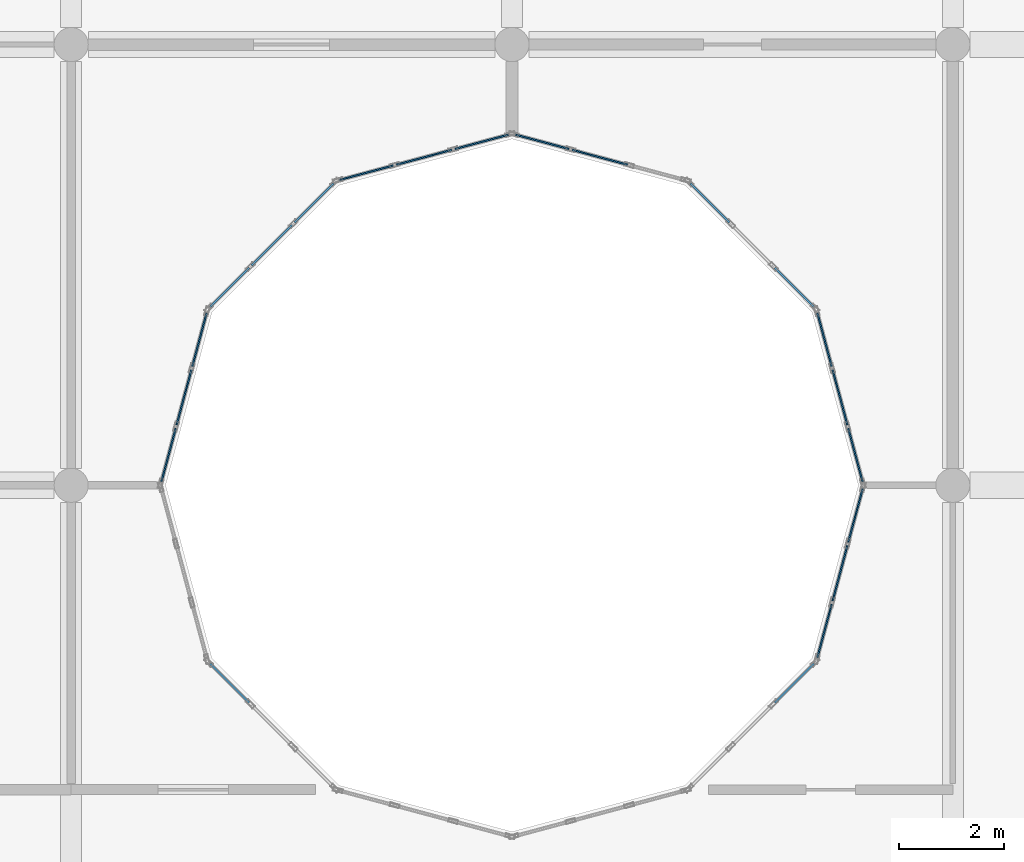
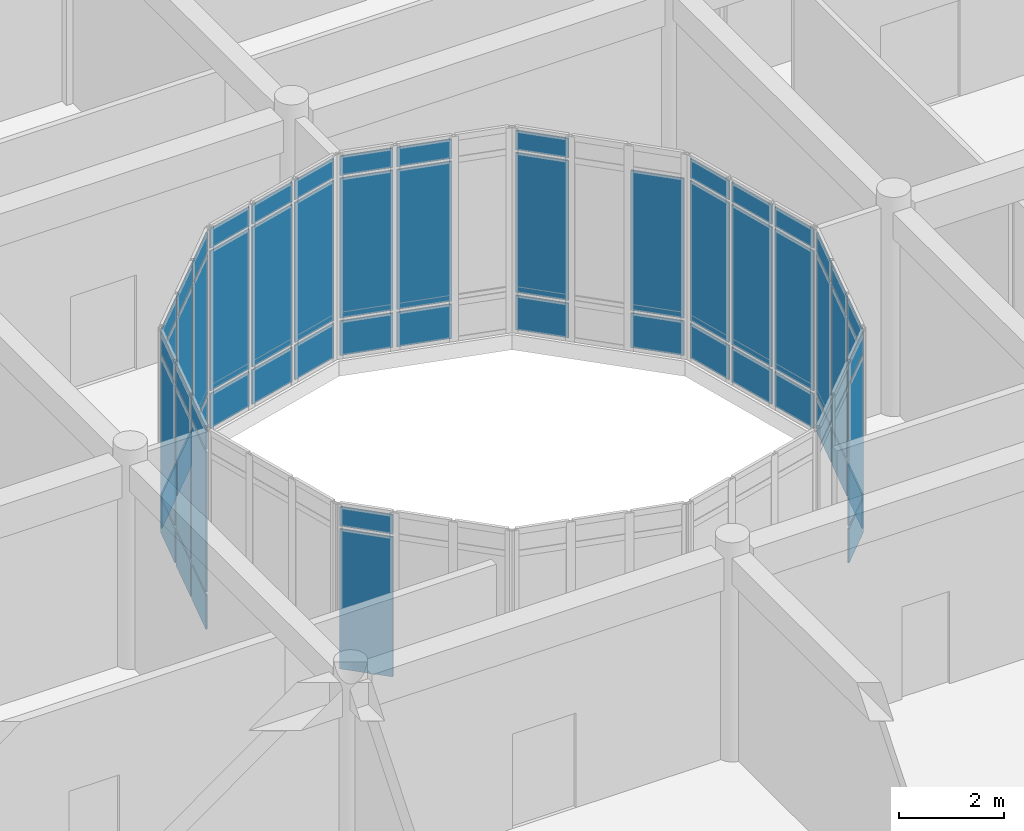
# One storey, part 75 of 134: 61 plates, 9 elements without a shape of their own.
"""IFC4 building model written with IfcOpenShell, lengths in metres."""

from ifc_helpers import new_model, si_unit, direction, frame, origin, origin_2d, place, context, subcontext, project, spatial, rectangle, extrude, material, layer, layer_set, type_object, element, aggregate, save


model = new_model("IFC4")

# Units and contexts
model_context = context("Model", 3, precision=1e-05, world=origin(), true_north=direction((0.0, 1.0)))
body_context = subcontext(model_context, "Body", "Model", "MODEL_VIEW")
ifc_project = project(units=[si_unit("LENGTHUNIT", "METRE"), si_unit("AREAUNIT", "SQUARE_METRE"), si_unit("VOLUMEUNIT", "CUBIC_METRE"), si_unit("PLANEANGLEUNIT", "RADIAN"), si_unit("MASSUNIT", "GRAM", prefix="KILO")], contexts=[model_context])

# Site, building, storey
site_placement = place(None, origin())
site = spatial("IfcSite", under=ifc_project, at=site_placement, CompositionType="ELEMENT")
building_placement = place(site_placement, origin())
building = spatial("IfcBuilding", under=site, at=building_placement, Name="Bramfleet General Hospital", CompositionType="ELEMENT")
storey_placement = place(building_placement, frame((0.0, 0.0, 9.300048828125)))
storey = spatial("IfcBuildingStorey", under=building, at=storey_placement, Name="L02", CompositionType="ELEMENT", Elevation=9.300048828125)

# Curtain wall, plates
ifc_material_1 = material(Name="Anodised aluminium and low-E triple glazing", Category="aluminium")
ifc_layer_1 = layer(ifc_material_1, 0.179931640625, Name="CWT-CW-14")
ifc_layer_set_1 = layer_set([ifc_layer_1], Name="Anodised aluminium and low-E triple glazing")
curtain_wall_type_1 = type_object("IfcCurtainWallType", Name="CWT-CW-14", PredefinedType="USERDEFINED", material=ifc_layer_set_1)
curtain_wall_1_placement = place(storey_placement, origin())
curtain_wall_1 = element("IfcCurtainWall", 1, at=curtain_wall_1_placement, inside=storey, type_object=curtain_wall_type_1, Name="L02 West Clinical Light Court Curtain Wall 2.1", ObjectType="Stick curtain wall", PredefinedType="USERDEFINED")
ifc_material_2 = material(Name="Low-E laminated safety glass", Category="glass")
ifc_layer_2 = layer(ifc_material_2, 0.031982421875, Name="CWP-GLZ-2")
ifc_layer_set_2 = layer_set([ifc_layer_2], Name="Low-E laminated safety glass")
plate_type = type_object("IfcPlateType", Name="CWP-GLZ-2", PredefinedType="CURTAIN_PANEL", material=ifc_layer_set_2)
plate_1_placement = place(storey_placement, frame((19.819091796875, 80.22900390625, 0.9326171875), z_axis=(0.0, 0.0, 1.0), x_axis=(0.707106781187, -0.707106781187, 0.0)))
plate_1 = element("IfcPlate", 2, at=plate_1_placement, type_object=plate_type, Name="CW-14 panel 1.2", PredefinedType="CURTAIN_PANEL", context=body_context, shape_type="SweptSolid", body=[
    extrude(rectangle(XDim=1.05078125, YDim=0.031982421875, at=origin_2d()), origin(), (0.0, 0.0, 1.0), 3.2548828125),
])
plate_2_placement = place(storey_placement, frame((19.819091796875, 80.22900390625, 4.25244140625), z_axis=(0.0, 0.0, 1.0), x_axis=(0.707106781187, -0.707106781187, 0.0)))
plate_2 = element("IfcPlate", 3, at=plate_2_placement, type_object=plate_type, Name="CW-14 panel 1.3", PredefinedType="CURTAIN_PANEL", context=body_context, shape_type="SweptSolid", body=[
    extrude(rectangle(XDim=1.05078125, YDim=0.031982421875, at=origin_2d()), origin(), (0.0, 0.0, 1.0), 0.452392578125),
])
aggregate(curtain_wall_1, [plate_1, plate_2])

ifc_layer_3 = layer(ifc_material_1, 0.179931640625, Name="CWT-CW-17")
ifc_layer_set_3 = layer_set([ifc_layer_3], Name="Anodised aluminium and low-E triple glazing")
curtain_wall_type_2 = type_object("IfcCurtainWallType", Name="CWT-CW-17", PredefinedType="USERDEFINED", material=ifc_layer_set_3)
curtain_wall_2_placement = place(storey_placement, origin())
curtain_wall_2 = element("IfcCurtainWall", 4, at=curtain_wall_2_placement, inside=storey, type_object=curtain_wall_type_2, Name="L02 West Clinical Light Court Curtain Wall 5.1", ObjectType="Stick curtain wall", PredefinedType="USERDEFINED")
plate_3_placement = place(storey_placement, frame((30.5810546875, 80.22900390625, 0.06494140625), z_axis=(0.0, 0.0, 1.0), x_axis=(0.707106781187, 0.707106781187, 0.0)))
plate_3 = element("IfcPlate", 5, at=plate_3_placement, type_object=plate_type, Name="CW-17 panel 3.1", PredefinedType="CURTAIN_PANEL", context=body_context, shape_type="SweptSolid", body=[
    extrude(rectangle(XDim=1.05078125, YDim=0.031982421875, at=origin_2d()), origin(), (0.0, 0.0, 1.0), 0.802490234375),
])
plate_4_placement = place(storey_placement, frame((30.5810546875, 80.22900390625, 0.9326171875), z_axis=(0.0, 0.0, 1.0), x_axis=(0.707106781187, 0.707106781187, 0.0)))
plate_4 = element("IfcPlate", 6, at=plate_4_placement, type_object=plate_type, Name="CW-17 panel 3.2", PredefinedType="CURTAIN_PANEL", context=body_context, shape_type="SweptSolid", body=[
    extrude(rectangle(XDim=1.05078125, YDim=0.031982421875, at=origin_2d()), origin(), (0.0, 0.0, 1.0), 3.2548828125),
])
plate_5_placement = place(storey_placement, frame((30.5810546875, 80.22900390625, 4.25244140625), z_axis=(0.0, 0.0, 1.0), x_axis=(0.707106781187, 0.707106781187, 0.0)))
plate_5 = element("IfcPlate", 7, at=plate_5_placement, type_object=plate_type, Name="CW-17 panel 3.3", PredefinedType="CURTAIN_PANEL", context=body_context, shape_type="SweptSolid", body=[
    extrude(rectangle(XDim=1.05078125, YDim=0.031982421875, at=origin_2d()), origin(), (0.0, 0.0, 1.0), 0.452392578125),
])
aggregate(curtain_wall_2, [plate_3, plate_4, plate_5])

ifc_layer_4 = layer(ifc_material_1, 0.179931640625, Name="CWT-CW-18")
ifc_layer_set_4 = layer_set([ifc_layer_4], Name="Anodised aluminium and low-E triple glazing")
curtain_wall_type_3 = type_object("IfcCurtainWallType", Name="CWT-CW-18", PredefinedType="USERDEFINED", material=ifc_layer_set_4)
curtain_wall_3_placement = place(storey_placement, origin())
curtain_wall_3 = element("IfcCurtainWall", 8, at=curtain_wall_3_placement, inside=storey, type_object=curtain_wall_type_3, Name="L02 West Clinical Light Court Curtain Wall 6.1", ObjectType="Stick curtain wall", PredefinedType="USERDEFINED")
plate_6_placement = place(storey_placement, frame((31.15625, 81.225341796875, 0.06494140625), z_axis=(0.0, 0.0, 1.0), x_axis=(0.25891863407, 0.965899136003, 0.0)))
plate_6 = element("IfcPlate", 9, at=plate_6_placement, type_object=plate_type, Name="CW-18 panel 1.1", PredefinedType="CURTAIN_PANEL", context=body_context, shape_type="SweptSolid", body=[
    extrude(rectangle(XDim=1.051025390625, YDim=0.031982421875, at=origin_2d()), origin(), (0.0, 0.0, 1.0), 0.802490234375),
])
plate_7_placement = place(storey_placement, frame((31.15625, 81.225341796875, 0.9326171875), z_axis=(0.0, 0.0, 1.0), x_axis=(0.25891863407, 0.965899136003, 0.0)))
plate_7 = element("IfcPlate", 10, at=plate_7_placement, type_object=plate_type, Name="CW-18 panel 1.2", PredefinedType="CURTAIN_PANEL", context=body_context, shape_type="SweptSolid", body=[
    extrude(rectangle(XDim=1.051025390625, YDim=0.031982421875, at=origin_2d()), origin(), (0.0, 0.0, 1.0), 3.2548828125),
])
plate_8_placement = place(storey_placement, frame((31.15625, 81.225341796875, 4.25244140625), z_axis=(0.0, 0.0, 1.0), x_axis=(0.25891863407, 0.965899136003, 0.0)))
plate_8 = element("IfcPlate", 11, at=plate_8_placement, type_object=plate_type, Name="CW-18 panel 1.3", PredefinedType="CURTAIN_PANEL", context=body_context, shape_type="SweptSolid", body=[
    extrude(rectangle(XDim=1.051025390625, YDim=0.031982421875, at=origin_2d()), origin(), (0.0, 0.0, 1.0), 0.452392578125),
])
plate_9_placement = place(storey_placement, frame((31.450927734375, 82.324951171875, 0.06494140625), z_axis=(0.0, 0.0, 1.0), x_axis=(0.25891863407, 0.965899136003, 0.0)))
plate_9 = element("IfcPlate", 12, at=plate_9_placement, type_object=plate_type, Name="CW-18 panel 2.1", PredefinedType="CURTAIN_PANEL", context=body_context, shape_type="SweptSolid", body=[
    extrude(rectangle(XDim=1.086181640625, YDim=0.031982421875, at=origin_2d()), origin(), (0.0, 0.0, 1.0), 0.802490234375),
])
plate_10_placement = place(storey_placement, frame((31.450927734375, 82.324951171875, 0.9326171875), z_axis=(0.0, 0.0, 1.0), x_axis=(0.25891863407, 0.965899136003, 0.0)))
plate_10 = element("IfcPlate", 13, at=plate_10_placement, type_object=plate_type, Name="CW-18 panel 2.2", PredefinedType="CURTAIN_PANEL", context=body_context, shape_type="SweptSolid", body=[
    extrude(rectangle(XDim=1.086181640625, YDim=0.031982421875, at=origin_2d()), origin(), (0.0, 0.0, 1.0), 3.2548828125),
])
plate_11_placement = place(storey_placement, frame((31.450927734375, 82.324951171875, 4.25244140625), z_axis=(0.0, 0.0, 1.0), x_axis=(0.25891863407, 0.965899136003, 0.0)))
plate_11 = element("IfcPlate", 14, at=plate_11_placement, type_object=plate_type, Name="CW-18 panel 2.3", PredefinedType="CURTAIN_PANEL", context=body_context, shape_type="SweptSolid", body=[
    extrude(rectangle(XDim=1.086181640625, YDim=0.031982421875, at=origin_2d()), origin(), (0.0, 0.0, 1.0), 0.452392578125),
])
plate_12_placement = place(storey_placement, frame((31.745849609375, 83.4248046875, 0.06494140625), z_axis=(0.0, 0.0, 1.0), x_axis=(0.25891863407, 0.965899136003, 0.0)))
plate_12 = element("IfcPlate", 15, at=plate_12_placement, type_object=plate_type, Name="CW-18 panel 3.1", PredefinedType="CURTAIN_PANEL", context=body_context, shape_type="SweptSolid", body=[
    extrude(rectangle(XDim=1.051025390625, YDim=0.031982421875, at=origin_2d()), origin(), (0.0, 0.0, 1.0), 0.802490234375),
])
plate_13_placement = place(storey_placement, frame((31.745849609375, 83.4248046875, 0.9326171875), z_axis=(0.0, 0.0, 1.0), x_axis=(0.25891863407, 0.965899136003, 0.0)))
plate_13 = element("IfcPlate", 16, at=plate_13_placement, type_object=plate_type, Name="CW-18 panel 3.2", PredefinedType="CURTAIN_PANEL", context=body_context, shape_type="SweptSolid", body=[
    extrude(rectangle(XDim=1.051025390625, YDim=0.031982421875, at=origin_2d()), origin(), (0.0, 0.0, 1.0), 3.2548828125),
])
plate_14_placement = place(storey_placement, frame((31.745849609375, 83.4248046875, 4.25244140625), z_axis=(0.0, 0.0, 1.0), x_axis=(0.25891863407, 0.965899136003, 0.0)))
plate_14 = element("IfcPlate", 17, at=plate_14_placement, type_object=plate_type, Name="CW-18 panel 3.3", PredefinedType="CURTAIN_PANEL", context=body_context, shape_type="SweptSolid", body=[
    extrude(rectangle(XDim=1.051025390625, YDim=0.031982421875, at=origin_2d()), origin(), (0.0, 0.0, 1.0), 0.452392578125),
])
aggregate(curtain_wall_3, [plate_6, plate_7, plate_8, plate_9, plate_10, plate_11, plate_12, plate_13, plate_14])

ifc_layer_5 = layer(ifc_material_1, 0.179931640625, Name="CWT-CW-11")
ifc_layer_set_5 = layer_set([ifc_layer_5], Name="Anodised aluminium and low-E triple glazing")
curtain_wall_type_4 = type_object("IfcCurtainWallType", Name="CWT-CW-11", PredefinedType="USERDEFINED", material=ifc_layer_set_5)
curtain_wall_4_placement = place(storey_placement, origin())
curtain_wall_4 = element("IfcCurtainWall", 18, at=curtain_wall_4_placement, inside=storey, type_object=curtain_wall_type_4, Name="L02 West Clinical Light Court Curtain Wall 7.1", ObjectType="Stick curtain wall", PredefinedType="USERDEFINED")
plate_15_placement = place(storey_placement, frame((31.745849609375, 84.5751953125, 0.06494140625), z_axis=(0.0, 0.0, 1.0), x_axis=(-0.25891863407, 0.965899136003, 0.0)))
plate_15 = element("IfcPlate", 19, at=plate_15_placement, type_object=plate_type, Name="CW-11 panel 1.1", PredefinedType="CURTAIN_PANEL", context=body_context, shape_type="SweptSolid", body=[
    extrude(rectangle(XDim=1.051025390625, YDim=0.031982421875, at=origin_2d()), origin(), (0.0, 0.0, 1.0), 0.802490234375),
])
plate_16_placement = place(storey_placement, frame((31.745849609375, 84.5751953125, 0.9326171875), z_axis=(0.0, 0.0, 1.0), x_axis=(-0.25891863407, 0.965899136003, 0.0)))
plate_16 = element("IfcPlate", 20, at=plate_16_placement, type_object=plate_type, Name="CW-11 panel 1.2", PredefinedType="CURTAIN_PANEL", context=body_context, shape_type="SweptSolid", body=[
    extrude(rectangle(XDim=1.051025390625, YDim=0.031982421875, at=origin_2d()), origin(), (0.0, 0.0, 1.0), 3.2548828125),
])
plate_17_placement = place(storey_placement, frame((31.745849609375, 84.5751953125, 4.25244140625), z_axis=(0.0, 0.0, 1.0), x_axis=(-0.25891863407, 0.965899136003, 0.0)))
plate_17 = element("IfcPlate", 21, at=plate_17_placement, type_object=plate_type, Name="CW-11 panel 1.3", PredefinedType="CURTAIN_PANEL", context=body_context, shape_type="SweptSolid", body=[
    extrude(rectangle(XDim=1.051025390625, YDim=0.031982421875, at=origin_2d()), origin(), (0.0, 0.0, 1.0), 0.452392578125),
])
plate_18_placement = place(storey_placement, frame((31.450927734375, 85.675048828125, 0.06494140625), z_axis=(0.0, 0.0, 1.0), x_axis=(-0.25891863407, 0.965899136003, 0.0)))
plate_18 = element("IfcPlate", 22, at=plate_18_placement, type_object=plate_type, Name="CW-11 panel 2.1", PredefinedType="CURTAIN_PANEL", context=body_context, shape_type="SweptSolid", body=[
    extrude(rectangle(XDim=1.086181640625, YDim=0.031982421875, at=origin_2d()), origin(), (0.0, 0.0, 1.0), 0.802490234375),
])
plate_19_placement = place(storey_placement, frame((31.450927734375, 85.675048828125, 0.9326171875), z_axis=(0.0, 0.0, 1.0), x_axis=(-0.25891863407, 0.965899136003, 0.0)))
plate_19 = element("IfcPlate", 23, at=plate_19_placement, type_object=plate_type, Name="CW-11 panel 2.2", PredefinedType="CURTAIN_PANEL", context=body_context, shape_type="SweptSolid", body=[
    extrude(rectangle(XDim=1.086181640625, YDim=0.031982421875, at=origin_2d()), origin(), (0.0, 0.0, 1.0), 3.2548828125),
])
plate_20_placement = place(storey_placement, frame((31.450927734375, 85.675048828125, 4.25244140625), z_axis=(0.0, 0.0, 1.0), x_axis=(-0.25891863407, 0.965899136003, 0.0)))
plate_20 = element("IfcPlate", 24, at=plate_20_placement, type_object=plate_type, Name="CW-11 panel 2.3", PredefinedType="CURTAIN_PANEL", context=body_context, shape_type="SweptSolid", body=[
    extrude(rectangle(XDim=1.086181640625, YDim=0.031982421875, at=origin_2d()), origin(), (0.0, 0.0, 1.0), 0.452392578125),
])
plate_21_placement = place(storey_placement, frame((31.15625, 86.774658203125, 0.06494140625), z_axis=(0.0, 0.0, 1.0), x_axis=(-0.25891863407, 0.965899136003, 0.0)))
plate_21 = element("IfcPlate", 25, at=plate_21_placement, type_object=plate_type, Name="CW-11 panel 3.1", PredefinedType="CURTAIN_PANEL", context=body_context, shape_type="SweptSolid", body=[
    extrude(rectangle(XDim=1.051025390625, YDim=0.031982421875, at=origin_2d()), origin(), (0.0, 0.0, 1.0), 0.802490234375),
])
plate_22_placement = place(storey_placement, frame((31.15625, 86.774658203125, 0.9326171875), z_axis=(0.0, 0.0, 1.0), x_axis=(-0.25891863407, 0.965899136003, 0.0)))
plate_22 = element("IfcPlate", 26, at=plate_22_placement, type_object=plate_type, Name="CW-11 panel 3.2", PredefinedType="CURTAIN_PANEL", context=body_context, shape_type="SweptSolid", body=[
    extrude(rectangle(XDim=1.051025390625, YDim=0.031982421875, at=origin_2d()), origin(), (0.0, 0.0, 1.0), 3.2548828125),
])
plate_23_placement = place(storey_placement, frame((31.15625, 86.774658203125, 4.25244140625), z_axis=(0.0, 0.0, 1.0), x_axis=(-0.25891863407, 0.965899136003, 0.0)))
plate_23 = element("IfcPlate", 27, at=plate_23_placement, type_object=plate_type, Name="CW-11 panel 3.3", PredefinedType="CURTAIN_PANEL", context=body_context, shape_type="SweptSolid", body=[
    extrude(rectangle(XDim=1.051025390625, YDim=0.031982421875, at=origin_2d()), origin(), (0.0, 0.0, 1.0), 0.452392578125),
])
aggregate(curtain_wall_4, [plate_15, plate_16, plate_17, plate_18, plate_19, plate_20, plate_21, plate_22, plate_23])

ifc_layer_6 = layer(ifc_material_1, 0.179931640625, Name="CWT-CW-12")
ifc_layer_set_6 = layer_set([ifc_layer_6], Name="Anodised aluminium and low-E triple glazing")
curtain_wall_type_5 = type_object("IfcCurtainWallType", Name="CWT-CW-12", PredefinedType="USERDEFINED", material=ifc_layer_set_6)
curtain_wall_5_placement = place(storey_placement, origin())
curtain_wall_5 = element("IfcCurtainWall", 28, at=curtain_wall_5_placement, inside=storey, type_object=curtain_wall_type_5, Name="L02 West Clinical Light Court Curtain Wall 8.1", ObjectType="Stick curtain wall", PredefinedType="USERDEFINED")
plate_24_placement = place(storey_placement, frame((30.5810546875, 87.77099609375, 0.06494140625), z_axis=(0.0, 0.0, 1.0), x_axis=(-0.707106781187, 0.707106781187, 0.0)))
plate_24 = element("IfcPlate", 29, at=plate_24_placement, type_object=plate_type, Name="CW-12 panel 1.1", PredefinedType="CURTAIN_PANEL", context=body_context, shape_type="SweptSolid", body=[
    extrude(rectangle(XDim=1.05078125, YDim=0.031982421875, at=origin_2d()), origin(), (0.0, 0.0, 1.0), 0.802490234375),
])
plate_25_placement = place(storey_placement, frame((30.5810546875, 87.77099609375, 0.9326171875), z_axis=(0.0, 0.0, 1.0), x_axis=(-0.707106781187, 0.707106781187, 0.0)))
plate_25 = element("IfcPlate", 30, at=plate_25_placement, type_object=plate_type, Name="CW-12 panel 1.2", PredefinedType="CURTAIN_PANEL", context=body_context, shape_type="SweptSolid", body=[
    extrude(rectangle(XDim=1.05078125, YDim=0.031982421875, at=origin_2d()), origin(), (0.0, 0.0, 1.0), 3.2548828125),
])
plate_26_placement = place(storey_placement, frame((28.970947265625, 89.380859375, 0.06494140625), z_axis=(0.0, 0.0, 1.0), x_axis=(-0.707106781187, 0.707106781187, 0.0)))
plate_26 = element("IfcPlate", 31, at=plate_26_placement, type_object=plate_type, Name="CW-12 panel 3.1", PredefinedType="CURTAIN_PANEL", context=body_context, shape_type="SweptSolid", body=[
    extrude(rectangle(XDim=1.05078125, YDim=0.031982421875, at=origin_2d()), origin(), (0.0, 0.0, 1.0), 0.802490234375),
])
plate_27_placement = place(storey_placement, frame((28.970947265625, 89.380859375, 0.9326171875), z_axis=(0.0, 0.0, 1.0), x_axis=(-0.707106781187, 0.707106781187, 0.0)))
plate_27 = element("IfcPlate", 32, at=plate_27_placement, type_object=plate_type, Name="CW-12 panel 3.2", PredefinedType="CURTAIN_PANEL", context=body_context, shape_type="SweptSolid", body=[
    extrude(rectangle(XDim=1.05078125, YDim=0.031982421875, at=origin_2d()), origin(), (0.0, 0.0, 1.0), 3.2548828125),
])
plate_28_placement = place(storey_placement, frame((28.970947265625, 89.380859375, 4.25244140625), z_axis=(0.0, 0.0, 1.0), x_axis=(-0.707106781187, 0.707106781187, 0.0)))
plate_28 = element("IfcPlate", 33, at=plate_28_placement, type_object=plate_type, Name="CW-12 panel 3.3", PredefinedType="CURTAIN_PANEL", context=body_context, shape_type="SweptSolid", body=[
    extrude(rectangle(XDim=1.05078125, YDim=0.031982421875, at=origin_2d()), origin(), (0.0, 0.0, 1.0), 0.452392578125),
])
aggregate(curtain_wall_5, [plate_24, plate_25, plate_26, plate_27, plate_28])

ifc_layer_7 = layer(ifc_material_1, 0.179931640625, Name="CWT-CW-13")
ifc_layer_set_7 = layer_set([ifc_layer_7], Name="Anodised aluminium and low-E triple glazing")
curtain_wall_type_6 = type_object("IfcCurtainWallType", Name="CWT-CW-13", PredefinedType="USERDEFINED", material=ifc_layer_set_7)
curtain_wall_6_placement = place(storey_placement, origin())
curtain_wall_6 = element("IfcCurtainWall", 34, at=curtain_wall_6_placement, inside=storey, type_object=curtain_wall_type_6, Name="L02 West Clinical Light Court Curtain Wall 9.1", ObjectType="Stick curtain wall", PredefinedType="USERDEFINED")
plate_29_placement = place(storey_placement, frame((26.875, 90.2509765625, 0.06494140625), z_axis=(0.0, 0.0, 1.0), x_axis=(-0.965899136003, 0.25891863407, 0.0)))
plate_29 = element("IfcPlate", 35, at=plate_29_placement, type_object=plate_type, Name="CW-13 panel 2.1", PredefinedType="CURTAIN_PANEL", context=body_context, shape_type="SweptSolid", body=[
    extrude(rectangle(XDim=1.086181640625, YDim=0.031982421875, at=origin_2d()), origin(), (0.0, 0.0, 1.0), 0.802490234375),
])
plate_30_placement = place(storey_placement, frame((26.875, 90.2509765625, 0.9326171875), z_axis=(0.0, 0.0, 1.0), x_axis=(-0.965899136003, 0.25891863407, 0.0)))
plate_30 = element("IfcPlate", 36, at=plate_30_placement, type_object=plate_type, Name="CW-13 panel 2.2", PredefinedType="CURTAIN_PANEL", context=body_context, shape_type="SweptSolid", body=[
    extrude(rectangle(XDim=1.086181640625, YDim=0.031982421875, at=origin_2d()), origin(), (0.0, 0.0, 1.0), 3.2548828125),
])
plate_31_placement = place(storey_placement, frame((26.875, 90.2509765625, 4.25244140625), z_axis=(0.0, 0.0, 1.0), x_axis=(-0.965899136003, 0.25891863407, 0.0)))
plate_31 = element("IfcPlate", 37, at=plate_31_placement, type_object=plate_type, Name="CW-13 panel 2.3", PredefinedType="CURTAIN_PANEL", context=body_context, shape_type="SweptSolid", body=[
    extrude(rectangle(XDim=1.086181640625, YDim=0.031982421875, at=origin_2d()), origin(), (0.0, 0.0, 1.0), 0.452392578125),
])
plate_32_placement = place(storey_placement, frame((25.775146484375, 90.5458984375, 0.06494140625), z_axis=(0.0, 0.0, 1.0), x_axis=(-0.965899136003, 0.25891863407, 0.0)))
plate_32 = element("IfcPlate", 38, at=plate_32_placement, type_object=plate_type, Name="CW-13 panel 3.1", PredefinedType="CURTAIN_PANEL", context=body_context, shape_type="SweptSolid", body=[
    extrude(rectangle(XDim=1.051025390625, YDim=0.031982421875, at=origin_2d()), origin(), (0.0, 0.0, 1.0), 0.802490234375),
])
plate_33_placement = place(storey_placement, frame((25.775146484375, 90.5458984375, 0.9326171875), z_axis=(0.0, 0.0, 1.0), x_axis=(-0.965899136003, 0.25891863407, 0.0)))
plate_33 = element("IfcPlate", 39, at=plate_33_placement, type_object=plate_type, Name="CW-13 panel 3.2", PredefinedType="CURTAIN_PANEL", context=body_context, shape_type="SweptSolid", body=[
    extrude(rectangle(XDim=1.051025390625, YDim=0.031982421875, at=origin_2d()), origin(), (0.0, 0.0, 1.0), 3.2548828125),
])
plate_34_placement = place(storey_placement, frame((25.775146484375, 90.5458984375, 4.25244140625), z_axis=(0.0, 0.0, 1.0), x_axis=(-0.965899136003, 0.25891863407, 0.0)))
plate_34 = element("IfcPlate", 40, at=plate_34_placement, type_object=plate_type, Name="CW-13 panel 3.3", PredefinedType="CURTAIN_PANEL", context=body_context, shape_type="SweptSolid", body=[
    extrude(rectangle(XDim=1.051025390625, YDim=0.031982421875, at=origin_2d()), origin(), (0.0, 0.0, 1.0), 0.452392578125),
])
aggregate(curtain_wall_6, [plate_29, plate_30, plate_31, plate_32, plate_33, plate_34])

curtain_wall_7_placement = place(storey_placement, origin())
curtain_wall_7 = element("IfcCurtainWall", 41, at=curtain_wall_7_placement, inside=storey, type_object=curtain_wall_type_1, Name="L02 West Clinical Light Court Curtain Wall 10.1", ObjectType="Stick curtain wall", PredefinedType="USERDEFINED")
plate_35_placement = place(storey_placement, frame((24.624755859375, 90.5458984375, 0.06494140625), z_axis=(0.0, 0.0, 1.0), x_axis=(-0.965899136003, -0.25891863407, 0.0)))
plate_35 = element("IfcPlate", 42, at=plate_35_placement, type_object=plate_type, Name="CW-14 panel 1.1", PredefinedType="CURTAIN_PANEL", context=body_context, shape_type="SweptSolid", body=[
    extrude(rectangle(XDim=1.051025390625, YDim=0.031982421875, at=origin_2d()), origin(), (0.0, 0.0, 1.0), 0.802490234375),
])
plate_36_placement = place(storey_placement, frame((24.624755859375, 90.5458984375, 0.9326171875), z_axis=(0.0, 0.0, 1.0), x_axis=(-0.965899136003, -0.25891863407, 0.0)))
plate_36 = element("IfcPlate", 43, at=plate_36_placement, type_object=plate_type, Name="CW-14 panel 1.2", PredefinedType="CURTAIN_PANEL", context=body_context, shape_type="SweptSolid", body=[
    extrude(rectangle(XDim=1.051025390625, YDim=0.031982421875, at=origin_2d()), origin(), (0.0, 0.0, 1.0), 3.2548828125),
])
plate_37_placement = place(storey_placement, frame((24.624755859375, 90.5458984375, 4.25244140625), z_axis=(0.0, 0.0, 1.0), x_axis=(-0.965899136003, -0.25891863407, 0.0)))
plate_37 = element("IfcPlate", 44, at=plate_37_placement, type_object=plate_type, Name="CW-14 panel 1.3", PredefinedType="CURTAIN_PANEL", context=body_context, shape_type="SweptSolid", body=[
    extrude(rectangle(XDim=1.051025390625, YDim=0.031982421875, at=origin_2d()), origin(), (0.0, 0.0, 1.0), 0.452392578125),
])
plate_38_placement = place(storey_placement, frame((23.52490234375, 90.2509765625, 0.06494140625), z_axis=(0.0, 0.0, 1.0), x_axis=(-0.965899136003, -0.25891863407, 0.0)))
plate_38 = element("IfcPlate", 45, at=plate_38_placement, type_object=plate_type, Name="CW-14 panel 2.1", PredefinedType="CURTAIN_PANEL", context=body_context, shape_type="SweptSolid", body=[
    extrude(rectangle(XDim=1.086181640625, YDim=0.031982421875, at=origin_2d()), origin(), (0.0, 0.0, 1.0), 0.802490234375),
])
plate_39_placement = place(storey_placement, frame((23.52490234375, 90.2509765625, 0.9326171875), z_axis=(0.0, 0.0, 1.0), x_axis=(-0.965899136003, -0.25891863407, 0.0)))
plate_39 = element("IfcPlate", 46, at=plate_39_placement, type_object=plate_type, Name="CW-14 panel 2.2", PredefinedType="CURTAIN_PANEL", context=body_context, shape_type="SweptSolid", body=[
    extrude(rectangle(XDim=1.086181640625, YDim=0.031982421875, at=origin_2d()), origin(), (0.0, 0.0, 1.0), 3.2548828125),
])
plate_40_placement = place(storey_placement, frame((23.52490234375, 90.2509765625, 4.25244140625), z_axis=(0.0, 0.0, 1.0), x_axis=(-0.965899136003, -0.25891863407, 0.0)))
plate_40 = element("IfcPlate", 47, at=plate_40_placement, type_object=plate_type, Name="CW-14 panel 2.3", PredefinedType="CURTAIN_PANEL", context=body_context, shape_type="SweptSolid", body=[
    extrude(rectangle(XDim=1.086181640625, YDim=0.031982421875, at=origin_2d()), origin(), (0.0, 0.0, 1.0), 0.452392578125),
])
plate_41_placement = place(storey_placement, frame((22.42529296875, 89.956298828125, 0.06494140625), z_axis=(0.0, 0.0, 1.0), x_axis=(-0.965899136003, -0.25891863407, 0.0)))
plate_41 = element("IfcPlate", 48, at=plate_41_placement, type_object=plate_type, Name="CW-14 panel 3.1", PredefinedType="CURTAIN_PANEL", context=body_context, shape_type="SweptSolid", body=[
    extrude(rectangle(XDim=1.051025390625, YDim=0.031982421875, at=origin_2d()), origin(), (0.0, 0.0, 1.0), 0.802490234375),
])
plate_42_placement = place(storey_placement, frame((22.42529296875, 89.956298828125, 0.9326171875), z_axis=(0.0, 0.0, 1.0), x_axis=(-0.965899136003, -0.25891863407, 0.0)))
plate_42 = element("IfcPlate", 49, at=plate_42_placement, type_object=plate_type, Name="CW-14 panel 3.2", PredefinedType="CURTAIN_PANEL", context=body_context, shape_type="SweptSolid", body=[
    extrude(rectangle(XDim=1.051025390625, YDim=0.031982421875, at=origin_2d()), origin(), (0.0, 0.0, 1.0), 3.2548828125),
])
plate_43_placement = place(storey_placement, frame((22.42529296875, 89.956298828125, 4.25244140625), z_axis=(0.0, 0.0, 1.0), x_axis=(-0.965899136003, -0.25891863407, 0.0)))
plate_43 = element("IfcPlate", 50, at=plate_43_placement, type_object=plate_type, Name="CW-14 panel 3.3", PredefinedType="CURTAIN_PANEL", context=body_context, shape_type="SweptSolid", body=[
    extrude(rectangle(XDim=1.051025390625, YDim=0.031982421875, at=origin_2d()), origin(), (0.0, 0.0, 1.0), 0.452392578125),
])
aggregate(curtain_wall_7, [plate_35, plate_36, plate_37, plate_38, plate_39, plate_40, plate_41, plate_42, plate_43])

ifc_layer_8 = layer(ifc_material_1, 0.179931640625, Name="CWT-CW-15")
ifc_layer_set_8 = layer_set([ifc_layer_8], Name="Anodised aluminium and low-E triple glazing")
curtain_wall_type_7 = type_object("IfcCurtainWallType", Name="CWT-CW-15", PredefinedType="USERDEFINED", material=ifc_layer_set_8)
curtain_wall_8_placement = place(storey_placement, origin())
curtain_wall_8 = element("IfcCurtainWall", 51, at=curtain_wall_8_placement, inside=storey, type_object=curtain_wall_type_7, Name="L02 West Clinical Light Court Curtain Wall 11.1", ObjectType="Stick curtain wall", PredefinedType="USERDEFINED")
plate_44_placement = place(storey_placement, frame((21.428955078125, 89.380859375, 0.06494140625), z_axis=(0.0, 0.0, 1.0), x_axis=(-0.707106781187, -0.707106781187, 0.0)))
plate_44 = element("IfcPlate", 52, at=plate_44_placement, type_object=plate_type, Name="CW-15 panel 1.1", PredefinedType="CURTAIN_PANEL", context=body_context, shape_type="SweptSolid", body=[
    extrude(rectangle(XDim=1.05078125, YDim=0.031982421875, at=origin_2d()), origin(), (0.0, 0.0, 1.0), 0.802490234375),
])
plate_45_placement = place(storey_placement, frame((21.428955078125, 89.380859375, 0.9326171875), z_axis=(0.0, 0.0, 1.0), x_axis=(-0.707106781187, -0.707106781187, 0.0)))
plate_45 = element("IfcPlate", 53, at=plate_45_placement, type_object=plate_type, Name="CW-15 panel 1.2", PredefinedType="CURTAIN_PANEL", context=body_context, shape_type="SweptSolid", body=[
    extrude(rectangle(XDim=1.05078125, YDim=0.031982421875, at=origin_2d()), origin(), (0.0, 0.0, 1.0), 3.2548828125),
])
plate_46_placement = place(storey_placement, frame((21.428955078125, 89.380859375, 4.25244140625), z_axis=(0.0, 0.0, 1.0), x_axis=(-0.707106781187, -0.707106781187, 0.0)))
plate_46 = element("IfcPlate", 54, at=plate_46_placement, type_object=plate_type, Name="CW-15 panel 1.3", PredefinedType="CURTAIN_PANEL", context=body_context, shape_type="SweptSolid", body=[
    extrude(rectangle(XDim=1.05078125, YDim=0.031982421875, at=origin_2d()), origin(), (0.0, 0.0, 1.0), 0.452392578125),
])
plate_47_placement = place(storey_placement, frame((20.6240234375, 88.575927734375, 0.06494140625), z_axis=(0.0, 0.0, 1.0), x_axis=(-0.707106781187, -0.707106781187, 0.0)))
plate_47 = element("IfcPlate", 55, at=plate_47_placement, type_object=plate_type, Name="CW-15 panel 2.1", PredefinedType="CURTAIN_PANEL", context=body_context, shape_type="SweptSolid", body=[
    extrude(rectangle(XDim=1.0859375, YDim=0.031982421875, at=origin_2d()), origin(), (0.0, 0.0, 1.0), 0.802490234375),
])
plate_48_placement = place(storey_placement, frame((20.6240234375, 88.575927734375, 0.9326171875), z_axis=(0.0, 0.0, 1.0), x_axis=(-0.707106781187, -0.707106781187, 0.0)))
plate_48 = element("IfcPlate", 56, at=plate_48_placement, type_object=plate_type, Name="CW-15 panel 2.2", PredefinedType="CURTAIN_PANEL", context=body_context, shape_type="SweptSolid", body=[
    extrude(rectangle(XDim=1.0859375, YDim=0.031982421875, at=origin_2d()), origin(), (0.0, 0.0, 1.0), 3.2548828125),
])
plate_49_placement = place(storey_placement, frame((20.6240234375, 88.575927734375, 4.25244140625), z_axis=(0.0, 0.0, 1.0), x_axis=(-0.707106781187, -0.707106781187, 0.0)))
plate_49 = element("IfcPlate", 57, at=plate_49_placement, type_object=plate_type, Name="CW-15 panel 2.3", PredefinedType="CURTAIN_PANEL", context=body_context, shape_type="SweptSolid", body=[
    extrude(rectangle(XDim=1.0859375, YDim=0.031982421875, at=origin_2d()), origin(), (0.0, 0.0, 1.0), 0.452392578125),
])
plate_50_placement = place(storey_placement, frame((19.819091796875, 87.77099609375, 0.06494140625), z_axis=(0.0, 0.0, 1.0), x_axis=(-0.707106781187, -0.707106781187, 0.0)))
plate_50 = element("IfcPlate", 58, at=plate_50_placement, type_object=plate_type, Name="CW-15 panel 3.1", PredefinedType="CURTAIN_PANEL", context=body_context, shape_type="SweptSolid", body=[
    extrude(rectangle(XDim=1.05078125, YDim=0.031982421875, at=origin_2d()), origin(), (0.0, 0.0, 1.0), 0.802490234375),
])
plate_51_placement = place(storey_placement, frame((19.819091796875, 87.77099609375, 0.9326171875), z_axis=(0.0, 0.0, 1.0), x_axis=(-0.707106781187, -0.707106781187, 0.0)))
plate_51 = element("IfcPlate", 59, at=plate_51_placement, type_object=plate_type, Name="CW-15 panel 3.2", PredefinedType="CURTAIN_PANEL", context=body_context, shape_type="SweptSolid", body=[
    extrude(rectangle(XDim=1.05078125, YDim=0.031982421875, at=origin_2d()), origin(), (0.0, 0.0, 1.0), 3.2548828125),
])
plate_52_placement = place(storey_placement, frame((19.819091796875, 87.77099609375, 4.25244140625), z_axis=(0.0, 0.0, 1.0), x_axis=(-0.707106781187, -0.707106781187, 0.0)))
plate_52 = element("IfcPlate", 60, at=plate_52_placement, type_object=plate_type, Name="CW-15 panel 3.3", PredefinedType="CURTAIN_PANEL", context=body_context, shape_type="SweptSolid", body=[
    extrude(rectangle(XDim=1.05078125, YDim=0.031982421875, at=origin_2d()), origin(), (0.0, 0.0, 1.0), 0.452392578125),
])
aggregate(curtain_wall_8, [plate_44, plate_45, plate_46, plate_47, plate_48, plate_49, plate_50, plate_51, plate_52])

ifc_layer_9 = layer(ifc_material_1, 0.179931640625, Name="CWT-CW-16")
ifc_layer_set_9 = layer_set([ifc_layer_9], Name="Anodised aluminium and low-E triple glazing")
curtain_wall_type_8 = type_object("IfcCurtainWallType", Name="CWT-CW-16", PredefinedType="USERDEFINED", material=ifc_layer_set_9)
curtain_wall_9_placement = place(storey_placement, origin())
curtain_wall_9 = element("IfcCurtainWall", 61, at=curtain_wall_9_placement, inside=storey, type_object=curtain_wall_type_8, Name="L02 West Clinical Light Court Curtain Wall 12.1", ObjectType="Stick curtain wall", PredefinedType="USERDEFINED")
plate_53_placement = place(storey_placement, frame((19.243896484375, 86.774658203125, 0.06494140625), z_axis=(0.0, 0.0, 1.0), x_axis=(-0.25891863407, -0.965899136003, 0.0)))
plate_53 = element("IfcPlate", 62, at=plate_53_placement, type_object=plate_type, Name="CW-16 panel 1.1", PredefinedType="CURTAIN_PANEL", context=body_context, shape_type="SweptSolid", body=[
    extrude(rectangle(XDim=1.051025390625, YDim=0.031982421875, at=origin_2d()), origin(), (0.0, 0.0, 1.0), 0.802490234375),
])
plate_54_placement = place(storey_placement, frame((19.243896484375, 86.774658203125, 0.9326171875), z_axis=(0.0, 0.0, 1.0), x_axis=(-0.25891863407, -0.965899136003, 0.0)))
plate_54 = element("IfcPlate", 63, at=plate_54_placement, type_object=plate_type, Name="CW-16 panel 1.2", PredefinedType="CURTAIN_PANEL", context=body_context, shape_type="SweptSolid", body=[
    extrude(rectangle(XDim=1.051025390625, YDim=0.031982421875, at=origin_2d()), origin(), (0.0, 0.0, 1.0), 3.2548828125),
])
plate_55_placement = place(storey_placement, frame((19.243896484375, 86.774658203125, 4.25244140625), z_axis=(0.0, 0.0, 1.0), x_axis=(-0.25891863407, -0.965899136003, 0.0)))
plate_55 = element("IfcPlate", 64, at=plate_55_placement, type_object=plate_type, Name="CW-16 panel 1.3", PredefinedType="CURTAIN_PANEL", context=body_context, shape_type="SweptSolid", body=[
    extrude(rectangle(XDim=1.051025390625, YDim=0.031982421875, at=origin_2d()), origin(), (0.0, 0.0, 1.0), 0.452392578125),
])
plate_56_placement = place(storey_placement, frame((18.948974609375, 85.675048828125, 0.06494140625), z_axis=(0.0, 0.0, 1.0), x_axis=(-0.25891863407, -0.965899136003, 0.0)))
plate_56 = element("IfcPlate", 65, at=plate_56_placement, type_object=plate_type, Name="CW-16 panel 2.1", PredefinedType="CURTAIN_PANEL", context=body_context, shape_type="SweptSolid", body=[
    extrude(rectangle(XDim=1.086181640625, YDim=0.031982421875, at=origin_2d()), origin(), (0.0, 0.0, 1.0), 0.802490234375),
])
plate_57_placement = place(storey_placement, frame((18.948974609375, 85.675048828125, 0.9326171875), z_axis=(0.0, 0.0, 1.0), x_axis=(-0.25891863407, -0.965899136003, 0.0)))
plate_57 = element("IfcPlate", 66, at=plate_57_placement, type_object=plate_type, Name="CW-16 panel 2.2", PredefinedType="CURTAIN_PANEL", context=body_context, shape_type="SweptSolid", body=[
    extrude(rectangle(XDim=1.086181640625, YDim=0.031982421875, at=origin_2d()), origin(), (0.0, 0.0, 1.0), 3.2548828125),
])
plate_58_placement = place(storey_placement, frame((18.948974609375, 85.675048828125, 4.25244140625), z_axis=(0.0, 0.0, 1.0), x_axis=(-0.25891863407, -0.965899136003, 0.0)))
plate_58 = element("IfcPlate", 67, at=plate_58_placement, type_object=plate_type, Name="CW-16 panel 2.3", PredefinedType="CURTAIN_PANEL", context=body_context, shape_type="SweptSolid", body=[
    extrude(rectangle(XDim=1.086181640625, YDim=0.031982421875, at=origin_2d()), origin(), (0.0, 0.0, 1.0), 0.452392578125),
])
plate_59_placement = place(storey_placement, frame((18.654296875, 84.5751953125, 0.06494140625), z_axis=(0.0, 0.0, 1.0), x_axis=(-0.25891863407, -0.965899136003, 0.0)))
plate_59 = element("IfcPlate", 68, at=plate_59_placement, type_object=plate_type, Name="CW-16 panel 3.1", PredefinedType="CURTAIN_PANEL", context=body_context, shape_type="SweptSolid", body=[
    extrude(rectangle(XDim=1.051025390625, YDim=0.031982421875, at=origin_2d()), origin(), (0.0, 0.0, 1.0), 0.802490234375),
])
plate_60_placement = place(storey_placement, frame((18.654296875, 84.5751953125, 0.9326171875), z_axis=(0.0, 0.0, 1.0), x_axis=(-0.25891863407, -0.965899136003, 0.0)))
plate_60 = element("IfcPlate", 69, at=plate_60_placement, type_object=plate_type, Name="CW-16 panel 3.2", PredefinedType="CURTAIN_PANEL", context=body_context, shape_type="SweptSolid", body=[
    extrude(rectangle(XDim=1.051025390625, YDim=0.031982421875, at=origin_2d()), origin(), (0.0, 0.0, 1.0), 3.2548828125),
])
plate_61_placement = place(storey_placement, frame((18.654296875, 84.5751953125, 4.25244140625), z_axis=(0.0, 0.0, 1.0), x_axis=(-0.25891863407, -0.965899136003, 0.0)))
plate_61 = element("IfcPlate", 70, at=plate_61_placement, type_object=plate_type, Name="CW-16 panel 3.3", PredefinedType="CURTAIN_PANEL", context=body_context, shape_type="SweptSolid", body=[
    extrude(rectangle(XDim=1.051025390625, YDim=0.031982421875, at=origin_2d()), origin(), (0.0, 0.0, 1.0), 0.452392578125),
])
aggregate(curtain_wall_9, [plate_53, plate_54, plate_55, plate_56, plate_57, plate_58, plate_59, plate_60, plate_61])

save(model, "model.ifc")
